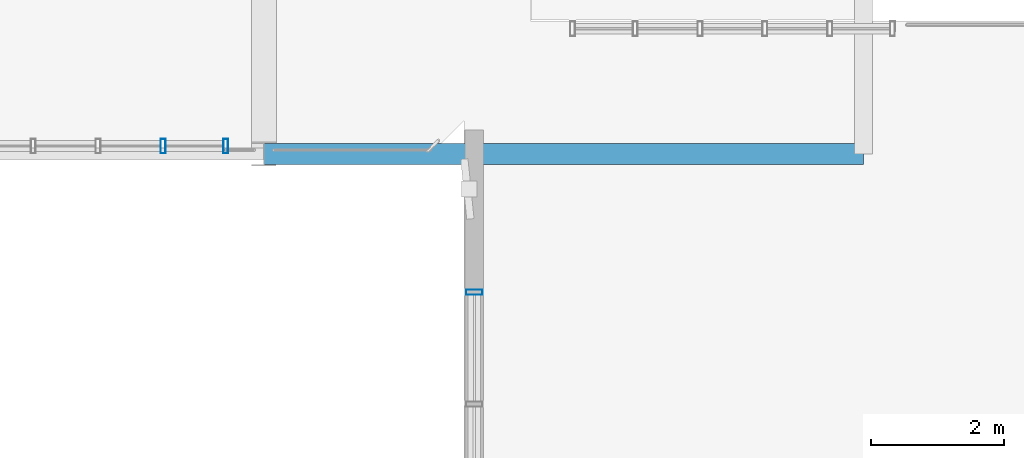
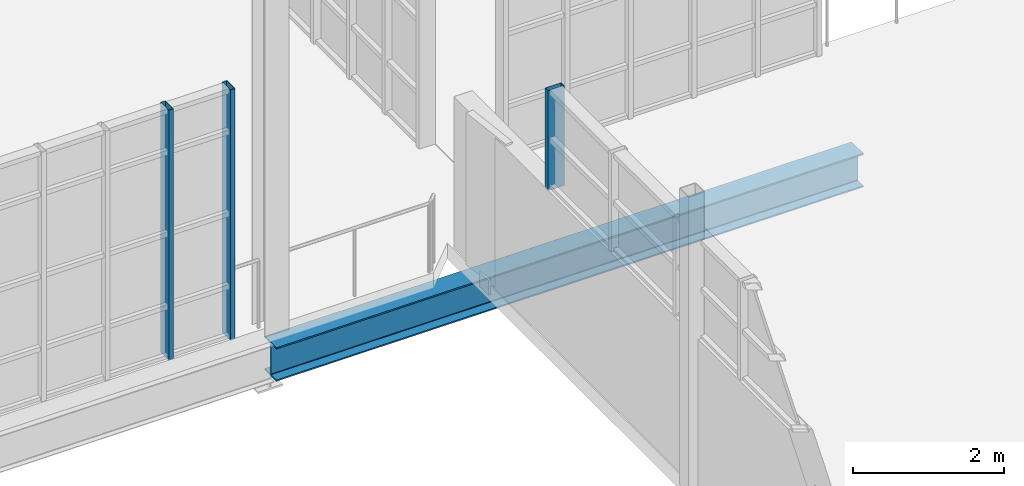
# One storey, part 14 of 36: 3 members, 1 beam, 2 elements without a shape of their own.
"""IFC4 building model written with IfcOpenShell, lengths in metres."""

from ifc_helpers import new_model, si_unit, direction, frame, origin, origin_2d, place, context, subcontext, project, spatial, hollow_rectangle, i_section, extrude, material, layer, layer_set, material_profile, profile_set, type_object, element, aggregate, save


model = new_model("IFC4")

# Units and contexts
model_context = context("Model", 3, precision=1e-05, world=origin(), true_north=direction((0.0, 1.0)))
body_context = subcontext(model_context, "Body", "Model", "MODEL_VIEW")
ifc_project = project(units=[si_unit("LENGTHUNIT", "METRE"), si_unit("AREAUNIT", "SQUARE_METRE"), si_unit("VOLUMEUNIT", "CUBIC_METRE"), si_unit("PLANEANGLEUNIT", "RADIAN"), si_unit("MASSUNIT", "GRAM", prefix="KILO"), si_unit("THERMODYNAMICTEMPERATUREUNIT", "KELVIN"), si_unit("POWERUNIT", "WATT")], contexts=[model_context])

# Site, building, storey
site_placement = place(None, origin())
site = spatial("IfcSite", under=ifc_project, at=site_placement, CompositionType="ELEMENT")
building_placement = place(site_placement, origin())
building = spatial("IfcBuilding", under=site, at=building_placement, Name="Zelmaris Science Centre", CompositionType="ELEMENT")
storey_placement = place(building_placement, frame((0.0, 0.0, 25.199951171875)))
storey = spatial("IfcBuildingStorey", under=building, at=storey_placement, Name="L05", CompositionType="ELEMENT", Elevation=25.199951171875)

# Curtain wall, members
ifc_material_1 = material(Name="Anodised architectural aluminium 6063-T6", Category="aluminium")
ifc_layer_1 = layer(ifc_material_1, 0.199951171875, Name="Anodised architectural aluminium 6063-T6")
ifc_layer_set_1 = layer_set([ifc_layer_1], Name="Anodised architectural aluminium 6063-T6")
curtain_wall_type_1 = type_object("IfcCurtainWallType", Name="Curtain Wall CW-02", PredefinedType="USERDEFINED", material=ifc_layer_set_1)
curtain_wall_1_placement = place(storey_placement, origin())
curtain_wall_1 = element("IfcCurtainWall", 1, at=curtain_wall_1_placement, inside=storey, type_object=curtain_wall_type_1, Name="L05 Unitised curtain wall 374", ObjectType="GLAZED CURTAIN WALL", PredefinedType="USERDEFINED")
ifc_material_profile_1 = material_profile(ifc_material_1, hollow_rectangle(XDim=0.074951171875, YDim=0.219970703125, WallThickness=0.0048828125, at=origin_2d()), Name="ALU-MUL-75X220")
ifc_profile_set_1 = profile_set([ifc_material_profile_1], Name="Anodised architectural aluminium 6063-T6")
member_type_1 = type_object("IfcMemberType", Name="ALU-MUL-75X220", PredefinedType="MULLION", material=ifc_profile_set_1)
member_1_placement = place(storey_placement, frame((71.426513671875, 64.1201171875, -0.014892578125), z_axis=(0.0, 0.0, 1.0), x_axis=(-0.999999999986, 5.235988e-06, 0.0)))
member_1 = element("IfcMember", 2, at=member_1_placement, type_object=member_type_1, Name="CW-02 mullion 1", PredefinedType="MULLION", context=body_context, shape_type="SweptSolid", body=[
    extrude(hollow_rectangle(XDim=0.074951171875, YDim=0.219970703125, WallThickness=0.0048828125, at=origin_2d()), origin(), (0.0, 0.0, 1.0), 4.054931640625),
])
member_2_placement = place(storey_placement, frame((70.485107421875, 64.1201171875, -0.014892578125), z_axis=(0.0, 0.0, 1.0), x_axis=(-0.999999999986, 5.235988e-06, 0.0)))
member_2 = element("IfcMember", 3, at=member_2_placement, type_object=member_type_1, Name="CW-02 mullion 2", PredefinedType="MULLION", context=body_context, shape_type="SweptSolid", body=[
    extrude(hollow_rectangle(XDim=0.074951171875, YDim=0.219970703125, WallThickness=0.0048828125, at=origin_2d()), origin(), (0.0, 0.0, 1.0), 4.054931640625),
])
aggregate(curtain_wall_1, [member_1, member_2])

# Curtain wall, member
ifc_layer_2 = layer(ifc_material_1, 0.18994140625, Name="Anodised architectural aluminium 6063-T6")
ifc_layer_set_2 = layer_set([ifc_layer_2], Name="Anodised architectural aluminium 6063-T6")
curtain_wall_type_2 = type_object("IfcCurtainWallType", Name="Curtain Wall CW-01", PredefinedType="USERDEFINED", material=ifc_layer_set_2)
curtain_wall_2_placement = place(storey_placement, origin())
curtain_wall_2 = element("IfcCurtainWall", 4, at=curtain_wall_2_placement, inside=storey, type_object=curtain_wall_type_2, Name="L05 Clerestory curtain wall 373", ObjectType="GLAZED CURTAIN WALL", PredefinedType="USERDEFINED")
ifc_material_profile_2 = material_profile(ifc_material_1, hollow_rectangle(XDim=0.080078125, YDim=0.25, WallThickness=0.0048828125, at=origin_2d()), Name="ALU-MUL-80X250")
ifc_profile_set_2 = profile_set([ifc_material_profile_2], Name="Anodised architectural aluminium 6063-T6")
member_type_2 = type_object("IfcMemberType", Name="ALU-MUL-80X250", PredefinedType="MULLION", material=ifc_profile_set_2)
member_3_placement = place(storey_placement, frame((75.15869140625, 61.925048828125, 2.420166015625), z_axis=(0.0, 0.0, 1.0), x_axis=(0.000378736439, 0.999999928279, 0.0)))
member_3 = element("IfcMember", 5, at=member_3_placement, type_object=member_type_2, Name="CW-01 mullion 5", PredefinedType="MULLION", context=body_context, shape_type="SweptSolid", body=[
    extrude(hollow_rectangle(XDim=0.080078125, YDim=0.25, WallThickness=0.0048828125, at=origin_2d()), origin(), (0.0, 0.0, 1.0), 1.619873046875),
])
aggregate(curtain_wall_2, [member_3])

# Beam
ifc_material_2 = material(Name="Steel ASTM A992 Grade 50", Category="steel")
ifc_material_profile_3 = material_profile(ifc_material_2, i_section(OverallWidth=0.31201171875, OverallDepth=0.5458984375, WebThickness=0.013916015625, FlangeThickness=0.022216796875, FilletRadius=0.013916015625, at=origin_2d()), Name="W21X111")
ifc_profile_set_3 = profile_set([ifc_material_profile_3], Name="Steel ASTM A992 Grade 50")
beam_type = type_object("IfcBeamType", Name="Beam G-39 W21X111", PredefinedType="BEAM", material=ifc_profile_set_3)
beam_placement = place(storey_placement, frame((72.0, 64.0, -0.52294921875), z_axis=(1.0, 0.0, 0.0), x_axis=(0.0, 1.0, 0.0)))
element("IfcBeam", 6, at=beam_placement, inside=storey, type_object=beam_type, Name="L05 East-west girder 927", PredefinedType="BEAM", context=body_context, shape_type="SweptSolid", body=[
    extrude(i_section(OverallWidth=0.31201171875, OverallDepth=0.5458984375, WebThickness=0.013916015625, FlangeThickness=0.022216796875, FilletRadius=0.013916015625, at=origin_2d()), origin(), (0.0, 0.0, 1.0), 9.0),
])

save(model, "model.ifc")
